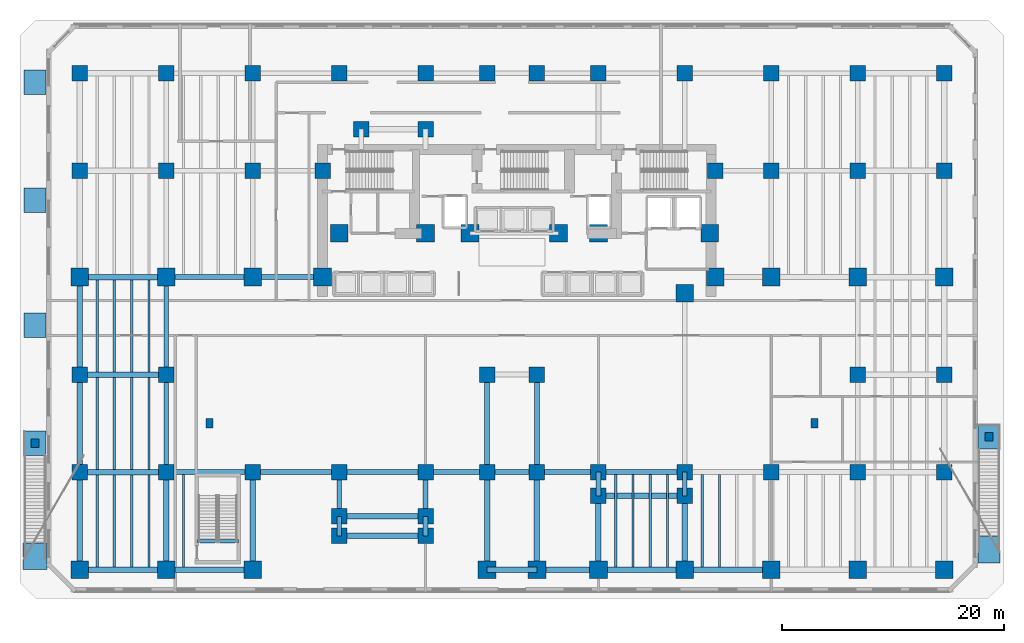
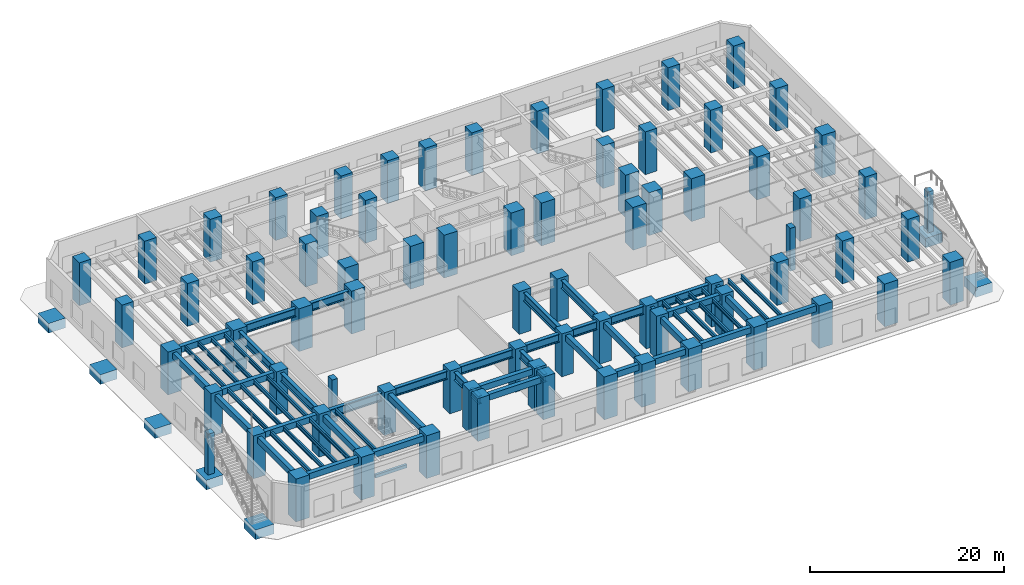
# One storey, part 1 of 17: 75 columns, 60 beams, 7 footings.
"""IFC4 building model written with IfcOpenShell, lengths in metres."""

from ifc_helpers import new_model, si_unit, direction, frame, origin, origin_2d, place, context, subcontext, project, spatial, rectangle, i_section, extrude, material, material_profile, profile_set, type_object, element, save


model = new_model("IFC4")

# Units and contexts
model_context = context("Model", 3, precision=1e-05, world=origin(), true_north=direction((0.0, 1.0)))
body_context = subcontext(model_context, "Body", "Model", "MODEL_VIEW")
ifc_project = project(units=[si_unit("LENGTHUNIT", "METRE"), si_unit("AREAUNIT", "SQUARE_METRE"), si_unit("VOLUMEUNIT", "CUBIC_METRE"), si_unit("PLANEANGLEUNIT", "RADIAN"), si_unit("MASSUNIT", "GRAM", prefix="KILO")], contexts=[model_context])

# Site, building, storey
site_placement = place(None, origin())
site = spatial("IfcSite", under=ifc_project, at=site_placement, CompositionType="ELEMENT")
building_placement = place(site_placement, origin())
building = spatial("IfcBuilding", under=site, at=building_placement, Name="Kestravale Grand Hotel", CompositionType="ELEMENT")
storey_placement = place(building_placement, origin())
storey = spatial("IfcBuildingStorey", under=building, at=storey_placement, Name="L00", CompositionType="ELEMENT", Elevation=0.0)

# Footings
ifc_material_1 = material(Name="Concrete f'c 40 MPa", Category="concrete")
footing_type = type_object("IfcFootingType", Name="FD-POD-2", PredefinedType="PAD_FOOTING", material=ifc_material_1)
footing_1_placement = place(storey_placement, frame((-4.050048828125, 3.60009765625, -1.2001953125), z_axis=(0.0, 0.0, 1.0), x_axis=(1.0, 0.0, 0.0)))
element("IfcFooting", 1, at=footing_1_placement, inside=storey, type_object=footing_type, Name="West garden stair bottom pad footing", PredefinedType="PAD_FOOTING", context=body_context, shape_type="SweptSolid", body=[
    extrude(rectangle(XDim=2.199951171875, YDim=2.39990234375, at=origin_2d()), origin(), (0.0, 0.0, 1.0), 1.199951171875),
])
for number, where, z_axis, x_axis, name in (
    (2, (-4.050048828125, 13.800048828125, -1.2001953125), (0.0, 0.0, 1.0), (1.0, 0.0, 0.0), "Garden stair 1 landing footing"),
    (3, (-4.050048828125, 24.4599609375, -1.2001953125), (0.0, 0.0, 1.0), (1.0, 0.0, 0.0), "Garden stair 2 landing footing"),
    (4, (-4.050048828125, 35.719970703125, -1.2001953125), (0.0, 0.0, 1.0), (1.0, 0.0, 0.0), "Garden stair 3 landing footing"),
    (5, (-4.050048828125, 46.3798828125, -1.2001953125), (0.0, 0.0, 1.0), (1.0, 0.0, 0.0), "Garden stair 4 landing footing"),
):
    element("IfcFooting", number, at=place(storey_placement, frame(where, z_axis=z_axis, x_axis=x_axis)), inside=storey, type_object=footing_type, Name=name, PredefinedType="PAD_FOOTING", context=body_context, shape_type="SweptSolid", body=[
        extrude(rectangle(XDim=2.0, YDim=2.199951171875, at=origin_2d()), origin(), (0.0, 0.0, 1.0), 1.199951171875),
    ])
footing_2_placement = place(storey_placement, frame((82.050048828125, 4.199951171875, -1.2001953125), z_axis=(0.0, 0.0, 1.0), x_axis=(1.0, 0.0, 0.0)))
element("IfcFooting", 6, at=footing_2_placement, inside=storey, type_object=footing_type, Name="East garden stair bottom pad footing", PredefinedType="PAD_FOOTING", context=body_context, shape_type="SweptSolid", body=[
    extrude(rectangle(XDim=2.0, YDim=2.39990234375, at=origin_2d()), origin(), (0.0, 0.0, 1.0), 1.199951171875),
])
footing_3_placement = place(storey_placement, frame((82.050048828125, 14.39990234375, -1.2001953125), z_axis=(0.0, 0.0, 1.0), x_axis=(1.0, 0.0, 0.0)))
element("IfcFooting", 7, at=footing_3_placement, inside=storey, type_object=footing_type, Name="East garden stair landing footing", PredefinedType="PAD_FOOTING", context=body_context, shape_type="SweptSolid", body=[
    extrude(rectangle(XDim=2.0, YDim=2.199951171875, at=origin_2d()), origin(), (0.0, 0.0, 1.0), 1.199951171875),
])

# Columns
ifc_material_2 = material(Name="Concrete f'c 70 MPa", Category="concrete")
ifc_material_profile_1 = material_profile(ifc_material_2, rectangle(XDim=1.39990234375, YDim=1.39990234375, at=origin_2d()))
ifc_profile_set_1 = profile_set([ifc_material_profile_1], Name="Concrete f'c 70 MPa")
column_type_1 = type_object("IfcColumnType", Name="C-Z1-1400", PredefinedType="COLUMN", material=ifc_profile_set_1)
for number, where, z_axis, x_axis, name in (
    (8, (0.0, 11.199951171875, 0.0), (0.0, 0.0, 1.0), (1.0, 0.0, 0.0), "L00 column 1-C"),
    (9, (0.0, 20.0, 0.0), (0.0, 0.0, 1.0), (1.0, 0.0, 0.0), "L00 column 1-D"),
    (10, (0.0, 38.39990234375, 0.0), (0.0, 0.0, 1.0), (1.0, 0.0, 0.0), "L00 column 1-F"),
    (11, (0.0, 47.199951171875, 0.0), (0.0, 0.0, 1.0), (1.0, 0.0, 0.0), "L00 column 1-G"),
    (12, (7.800048828125, 11.199951171875, 0.0), (0.0, 0.0, 1.0), (1.0, 0.0, 0.0), "L00 column 2-C"),
    (13, (7.800048828125, 20.0, 0.0), (0.0, 0.0, 1.0), (1.0, 0.0, 0.0), "L00 column 2-D"),
    (14, (7.800048828125, 38.39990234375, 0.0), (0.0, 0.0, 1.0), (1.0, 0.0, 0.0), "L00 column 2-F"),
    (15, (7.800048828125, 47.199951171875, 0.0), (0.0, 0.0, 1.0), (1.0, 0.0, 0.0), "L00 column 2-G"),
    (16, (15.60009765625, 11.199951171875, 0.0), (0.0, 0.0, 1.0), (1.0, 0.0, 0.0), "L00 column 3-C"),
    (17, (15.60009765625, 38.39990234375, 0.0), (0.0, 0.0, 1.0), (1.0, 0.0, 0.0), "L00 column 3-F"),
    (18, (15.60009765625, 47.199951171875, 0.0), (0.0, 0.0, 1.0), (1.0, 0.0, 0.0), "L00 column 3-G"),
    (19, (23.39990234375, 11.199951171875, 0.0), (0.0, 0.0, 1.0), (1.0, 0.0, 0.0), "L00 column 4-C"),
    (20, (23.39990234375, 47.199951171875, 0.0), (0.0, 0.0, 1.0), (1.0, 0.0, 0.0), "L00 column 4-G"),
    (21, (31.199951171875, 11.199951171875, 0.0), (0.0, 0.0, 1.0), (1.0, 0.0, 0.0), "L00 column 5-C"),
    (22, (31.199951171875, 47.199951171875, 0.0), (0.0, 0.0, 1.0), (1.0, 0.0, 0.0), "L00 column 5-G"),
    (23, (36.75, 11.199951171875, 0.0), (0.0, 0.0, 1.0), (1.0, 0.0, 0.0), "L00 column 6-C"),
    (24, (36.75, 20.0, 0.0), (0.0, 0.0, 1.0), (1.0, 0.0, 0.0), "L00 column 6-D"),
    (25, (36.75, 47.199951171875, 0.0), (0.0, 0.0, 1.0), (1.0, 0.0, 0.0), "L00 column 6-G"),
    (26, (41.25, 11.199951171875, 0.0), (0.0, 0.0, 1.0), (1.0, 0.0, 0.0), "L00 column 7-C"),
    (27, (41.25, 20.0, 0.0), (0.0, 0.0, 1.0), (1.0, 0.0, 0.0), "L00 column 7-D"),
    (28, (41.25, 47.199951171875, 0.0), (0.0, 0.0, 1.0), (1.0, 0.0, 0.0), "L00 column 7-G"),
    (29, (46.800048828125, 11.199951171875, 0.0), (0.0, 0.0, 1.0), (1.0, 0.0, 0.0), "L00 column 8-C"),
    (30, (46.800048828125, 47.199951171875, 0.0), (0.0, 0.0, 1.0), (1.0, 0.0, 0.0), "L00 column 8-G"),
    (31, (54.60009765625, 11.199951171875, 0.0), (0.0, 0.0, 1.0), (1.0, 0.0, 0.0), "L00 column 9-C"),
    (32, (54.60009765625, 47.199951171875, 0.0), (0.0, 0.0, 1.0), (1.0, 0.0, 0.0), "L00 column 9-G"),
    (33, (62.39990234375, 11.199951171875, 0.0), (0.0, 0.0, 1.0), (1.0, 0.0, 0.0), "L00 column 10-C"),
    (34, (62.39990234375, 38.39990234375, 0.0), (0.0, 0.0, 1.0), (1.0, 0.0, 0.0), "L00 column 10-F"),
    (35, (62.39990234375, 47.199951171875, 0.0), (0.0, 0.0, 1.0), (1.0, 0.0, 0.0), "L00 column 10-G"),
    (36, (70.199951171875, 11.199951171875, 0.0), (0.0, 0.0, 1.0), (1.0, 0.0, 0.0), "L00 column 11-C"),
    (37, (70.199951171875, 20.0, 0.0), (0.0, 0.0, 1.0), (1.0, 0.0, 0.0), "L00 column 11-D"),
    (38, (70.199951171875, 38.39990234375, 0.0), (0.0, 0.0, 1.0), (1.0, 0.0, 0.0), "L00 column 11-F"),
    (39, (70.199951171875, 47.199951171875, 0.0), (0.0, 0.0, 1.0), (1.0, 0.0, 0.0), "L00 column 11-G"),
    (40, (78.0, 11.199951171875, 0.0), (0.0, 0.0, 1.0), (1.0, 0.0, 0.0), "L00 column 12-C"),
    (41, (78.0, 20.0, 0.0), (0.0, 0.0, 1.0), (1.0, 0.0, 0.0), "L00 column 12-D"),
    (42, (78.0, 38.39990234375, 0.0), (0.0, 0.0, 1.0), (1.0, 0.0, 0.0), "L00 column 12-F"),
    (43, (78.0, 47.199951171875, 0.0), (0.0, 0.0, 1.0), (1.0, 0.0, 0.0), "L00 column 12-G"),
    (44, (21.89990234375, 38.39990234375, 0.0), (0.0, 0.0, 1.0), (1.0, 0.0, 0.0), "L00 column CW-F"),
    (45, (57.35009765625, 38.39990234375, 0.0), (0.0, 0.0, 1.0), (1.0, 0.0, 0.0), "L00 column CE-F"),
    (46, (23.39990234375, 7.199951171875, 0.0), (0.0, 0.0, 1.0), (1.0, 0.0, 0.0), "L00 column 4-BS"),
    (47, (31.199951171875, 7.199951171875, 0.0), (0.0, 0.0, 1.0), (1.0, 0.0, 0.0), "L00 column 5-BS"),
    (48, (25.39990234375, 42.14990234375, 0.0), (0.0, 0.0, 1.0), (1.0, 0.0, 0.0), "L00 column 4-FN"),
    (49, (31.199951171875, 42.14990234375, 0.0), (0.0, 0.0, 1.0), (1.0, 0.0, 0.0), "L00 column 5-FN"),
    (50, (23.39990234375, 5.449951171875, 0.0), (0.0, 0.0, 1.0), (1.0, 0.0, 0.0), "L00 column 4-B1S"),
    (51, (31.199951171875, 5.449951171875, 0.0), (0.0, 0.0, 1.0), (1.0, 0.0, 0.0), "L00 column 5-B1S"),
    (52, (46.800048828125, 9.050048828125, 0.0), (0.0, 0.0, 1.0), (1.0, 0.0, 0.0), "L00 column 8-B1E"),
    (53, (54.60009765625, 9.050048828125, 0.0), (0.0, 0.0, 1.0), (1.0, 0.0, 0.0), "L00 column 9-B1E"),
):
    element("IfcColumn", number, at=place(storey_placement, frame(where, z_axis=z_axis, x_axis=x_axis)), inside=storey, type_object=column_type_1, Name=name, PredefinedType="COLUMN", context=body_context, shape_type="SweptSolid", body=[
        extrude(rectangle(XDim=1.39990234375, YDim=1.39990234375, at=origin_2d()), origin(), (0.0, 0.0, 1.0), 5.39990234375),
    ])
ifc_material_3 = material(Name="Concrete f'c 70 MPa", Category="concrete")
ifc_material_profile_2 = material_profile(ifc_material_3, rectangle(XDim=1.60009765625, YDim=1.60009765625, at=origin_2d()))
ifc_profile_set_2 = profile_set([ifc_material_profile_2], Name="Concrete f'c 70 MPa")
column_type_2 = type_object("IfcColumnType", Name="C-Z1-1600", PredefinedType="COLUMN", material=ifc_profile_set_2)
for number, where, z_axis, x_axis, name in (
    (54, (0.0, 2.39990234375, 0.0), (0.0, 0.0, 1.0), (1.0, 0.0, 0.0), "L00 column 1-B"),
    (55, (0.0, 28.800048828125, 0.0), (0.0, 0.0, 1.0), (1.0, 0.0, 0.0), "L00 column 1-E"),
    (56, (7.800048828125, 2.39990234375, 0.0), (0.0, 0.0, 1.0), (1.0, 0.0, 0.0), "L00 column 2-B"),
    (57, (7.800048828125, 28.800048828125, 0.0), (0.0, 0.0, 1.0), (1.0, 0.0, 0.0), "L00 column 2-E"),
    (58, (15.60009765625, 2.39990234375, 0.0), (0.0, 0.0, 1.0), (1.0, 0.0, 0.0), "L00 column 3-B"),
    (59, (15.60009765625, 28.800048828125, 0.0), (0.0, 0.0, 1.0), (1.0, 0.0, 0.0), "L00 column 3-E"),
    (60, (36.75, 2.39990234375, 0.0), (0.0, 0.0, 1.0), (1.0, 0.0, 0.0), "L00 column 6-B"),
    (61, (41.25, 2.39990234375, 0.0), (0.0, 0.0, 1.0), (1.0, 0.0, 0.0), "L00 column 7-B"),
    (62, (46.800048828125, 2.39990234375, 0.0), (0.0, 0.0, 1.0), (1.0, 0.0, 0.0), "L00 column 8-B"),
    (63, (54.60009765625, 2.39990234375, 0.0), (0.0, 0.0, 1.0), (1.0, 0.0, 0.0), "L00 column 9-B"),
    (64, (62.39990234375, 2.39990234375, 0.0), (0.0, 0.0, 1.0), (1.0, 0.0, 0.0), "L00 column 10-B"),
    (65, (62.39990234375, 28.800048828125, 0.0), (0.0, 0.0, 1.0), (1.0, 0.0, 0.0), "L00 column 10-E"),
    (66, (70.199951171875, 2.39990234375, 0.0), (0.0, 0.0, 1.0), (1.0, 0.0, 0.0), "L00 column 11-B"),
    (67, (70.199951171875, 28.800048828125, 0.0), (0.0, 0.0, 1.0), (1.0, 0.0, 0.0), "L00 column 11-E"),
    (68, (78.0, 2.39990234375, 0.0), (0.0, 0.0, 1.0), (1.0, 0.0, 0.0), "L00 column 12-B"),
    (69, (78.0, 28.800048828125, 0.0), (0.0, 0.0, 1.0), (1.0, 0.0, 0.0), "L00 column 12-E"),
    (70, (21.89990234375, 28.800048828125, 0.0), (0.0, 0.0, 1.0), (1.0, 0.0, 0.0), "L00 column CW-E"),
    (71, (57.35009765625, 28.800048828125, 0.0), (0.0, 0.0, 1.0), (1.0, 0.0, 0.0), "L00 column CE-E"),
    (72, (23.39990234375, 32.75, 0.0), (0.0, 0.0, 1.0), (1.0, 0.0, 0.0), "L00 column 4-CS"),
    (73, (31.199951171875, 32.75, 0.0), (0.0, 0.0, 1.0), (1.0, 0.0, 0.0), "L00 column 5-CS"),
    (74, (35.199951171875, 32.75, 0.0), (0.0, 0.0, 1.0), (1.0, 0.0, 0.0), "L00 column 6C-CS"),
    (75, (43.199951171875, 32.75, 0.0), (0.0, 0.0, 1.0), (1.0, 0.0, 0.0), "L00 column 7C-CS"),
    (76, (46.800048828125, 32.75, 0.0), (0.0, 0.0, 1.0), (1.0, 0.0, 0.0), "L00 column 8-CS"),
    (77, (54.60009765625, 27.35009765625, 0.0), (0.0, 0.0, 1.0), (1.0, 0.0, 0.0), "L00 column 9-CS"),
    (78, (56.85009765625, 32.75, 0.0), (0.0, 0.0, 1.0), (1.0, 0.0, 0.0), "L00 column 9C-CS"),
):
    element("IfcColumn", number, at=place(storey_placement, frame(where, z_axis=z_axis, x_axis=x_axis)), inside=storey, type_object=column_type_2, Name=name, PredefinedType="COLUMN", context=body_context, shape_type="SweptSolid", body=[
        extrude(rectangle(XDim=1.60009765625, YDim=1.60009765625, at=origin_2d()), origin(), (0.0, 0.0, 1.0), 5.39990234375),
    ])
ifc_material_4 = material(Name="Precast concrete f'c 45 MPa", Category="concrete")
ifc_material_profile_3 = material_profile(ifc_material_4, rectangle(XDim=0.64990234375, YDim=0.85009765625, at=origin_2d()))
ifc_profile_set_3 = profile_set([ifc_material_profile_3], Name="Precast concrete f'c 45 MPa")
column_type_3 = type_object("IfcColumnType", Name="C-Z1-PIL850", PredefinedType="PILASTER", material=ifc_profile_set_3)
for number, where, z_axis, x_axis, name in (
    (79, (11.699951171875, 15.60009765625, 0.0), (0.0, 0.0, 1.0), (1.0, 0.0, 0.0), "L00 Art Deco fluted pilaster P1"),
    (80, (66.300048828125, 15.60009765625, 0.0), (0.0, 0.0, 1.0), (1.0, 0.0, 0.0), "L00 Art Deco fluted pilaster P2"),
):
    element("IfcColumn", number, at=place(storey_placement, frame(where, z_axis=z_axis, x_axis=x_axis)), inside=storey, type_object=column_type_3, Name=name, PredefinedType="PILASTER", context=body_context, shape_type="SweptSolid", body=[
        extrude(rectangle(XDim=0.64990234375, YDim=0.85009765625, at=origin_2d()), origin(), (0.0, 0.0, 1.0), 5.39990234375),
    ])
ifc_material_5 = material(Name="Concrete f'c 50 MPa", Category="concrete")
ifc_material_profile_4 = material_profile(ifc_material_5, rectangle(XDim=0.75, YDim=0.75, at=origin_2d()))
ifc_profile_set_4 = profile_set([ifc_material_profile_4], Name="Concrete f'c 50 MPa")
column_type_4 = type_object("IfcColumnType", Name="C-Z4-750", PredefinedType="COLUMN", material=ifc_profile_set_4)
for number, where, z_axis, x_axis, name in (
    (81, (-4.050048828125, 13.800048828125, 0.0), (0.0, 0.0, 1.0), (1.0, 0.0, 0.0), "Garden stair 1 pier column"),
    (82, (82.050048828125, 14.39990234375, 0.0), (0.0, 0.0, 1.0), (1.0, 0.0, 0.0), "East garden stair pier column"),
):
    element("IfcColumn", number, at=place(storey_placement, frame(where, z_axis=z_axis, x_axis=x_axis)), inside=storey, type_object=column_type_4, Name=name, PredefinedType="COLUMN", context=body_context, shape_type="SweptSolid", body=[
        extrude(rectangle(XDim=0.75, YDim=0.75, at=origin_2d()), origin(), (0.0, 0.0, 1.0), 5.14990234375),
    ])

# Beams
ifc_material_6 = material(Name="Steel ASTM A992 Grade 50", Category="steel")
ifc_material_profile_5 = material_profile(ifc_material_6, i_section(OverallWidth=0.2099609375, OverallDepth=0.535888671875, WebThickness=0.010986328125, FlangeThickness=0.017333984375, FilletRadius=0.017578125, at=origin_2d()))
ifc_profile_set_5 = profile_set([ifc_material_profile_5], Name="Steel ASTM A992 Grade 50")
beam_type_1 = type_object("IfcBeamType", Name="B-FLR-JST21", PredefinedType="JOIST", material=ifc_profile_set_5)
for number, where, z_axis, x_axis, name in (
    (83, (1.56005859375, 2.64990234375, 4.83203125), (0.0, 1.0, 0.0), (-1.0, 0.0, 0.0), "L00 floor joist 1-2/B-C #1"),
    (84, (3.1201171875, 2.64990234375, 4.83203125), (0.0, 1.0, 0.0), (-1.0, 0.0, 0.0), "L00 floor joist 1-2/B-C #2"),
    (85, (4.679931640625, 2.64990234375, 4.83203125), (0.0, 1.0, 0.0), (-1.0, 0.0, 0.0), "L00 floor joist 1-2/B-C #3"),
    (86, (6.239990234375, 2.64990234375, 4.83203125), (0.0, 1.0, 0.0), (-1.0, 0.0, 0.0), "L00 floor joist 1-2/B-C #4"),
    (87, (1.56005859375, 11.449951171875, 4.83203125), (0.0, 1.0, 0.0), (-1.0, 0.0, 0.0), "L00 floor joist 1-2/C-D #1"),
    (88, (3.1201171875, 11.449951171875, 4.83203125), (0.0, 1.0, 0.0), (-1.0, 0.0, 0.0), "L00 floor joist 1-2/C-D #2"),
    (89, (4.679931640625, 11.449951171875, 4.83203125), (0.0, 1.0, 0.0), (-1.0, 0.0, 0.0), "L00 floor joist 1-2/C-D #3"),
    (90, (6.239990234375, 11.449951171875, 4.83203125), (0.0, 1.0, 0.0), (-1.0, 0.0, 0.0), "L00 floor joist 1-2/C-D #4"),
    (91, (1.56005859375, 20.25, 4.83203125), (0.0, 1.0, 0.0), (-1.0, 0.0, 0.0), "L00 floor joist 1-2/D-E #1"),
    (92, (3.1201171875, 20.25, 4.83203125), (0.0, 1.0, 0.0), (-1.0, 0.0, 0.0), "L00 floor joist 1-2/D-E #2"),
    (93, (4.679931640625, 20.25, 4.83203125), (0.0, 1.0, 0.0), (-1.0, 0.0, 0.0), "L00 floor joist 1-2/D-E #3"),
    (94, (6.239990234375, 20.25, 4.83203125), (0.0, 1.0, 0.0), (-1.0, 0.0, 0.0), "L00 floor joist 1-2/D-E #4"),
):
    element("IfcBeam", number, at=place(storey_placement, frame(where, z_axis=z_axis, x_axis=x_axis)), inside=storey, type_object=beam_type_1, Name=name, PredefinedType="JOIST", context=body_context, shape_type="SweptSolid", body=[
        extrude(i_section(OverallWidth=0.2099609375, OverallDepth=0.535888671875, WebThickness=0.010986328125, FlangeThickness=0.017333984375, FilletRadius=0.017578125, at=origin_2d()), origin(), (0.0, 0.0, 1.0), 8.300048828125),
    ])
for number, where, z_axis, x_axis, name in (
    (95, (9.360107421875, 2.64990234375, 4.83203125), (0.0, 1.0, 0.0), (-1.0, 0.0, 0.0), "L00 floor joist 2-3/B-C #1"),
    (96, (48.360107421875, 2.64990234375, 4.83203125), (0.0, 1.0, 0.0), (-1.0, 0.0, 0.0), "L00 floor joist 8-9/B-C #1"),
    (97, (49.919921875, 2.64990234375, 4.83203125), (0.0, 1.0, 0.0), (-1.0, 0.0, 0.0), "L00 floor joist 8-9/B-C #2"),
    (98, (51.47998046875, 2.64990234375, 4.83203125), (0.0, 1.0, 0.0), (-1.0, 0.0, 0.0), "L00 floor joist 8-9/B-C #3"),
    (99, (53.0400390625, 2.64990234375, 4.83203125), (0.0, 1.0, 0.0), (-1.0, 0.0, 0.0), "L00 floor joist 8-9/B-C #4"),
    (100, (56.159912109375, 2.64990234375, 4.83203125), (0.0, 1.0, 0.0), (-1.0, 0.0, 0.0), "L00 floor joist 9-10/B-C #1"),
    (101, (57.719970703125, 2.64990234375, 4.83203125), (0.0, 1.0, 0.0), (-1.0, 0.0, 0.0), "L00 floor joist 9-10/B-C #2"),
):
    element("IfcBeam", number, at=place(storey_placement, frame(where, z_axis=z_axis, x_axis=x_axis)), inside=storey, type_object=beam_type_1, Name=name, PredefinedType="JOIST", context=body_context, shape_type="SweptSolid", body=[
        extrude(i_section(OverallWidth=0.2099609375, OverallDepth=0.535888671875, WebThickness=0.010986328125, FlangeThickness=0.017333984375, FilletRadius=0.017578125, at=origin_2d()), origin(), (0.0, 0.0, 1.0), 8.336669921875),
    ])
ifc_material_7 = material(Name="Concrete f'c 45 MPa", Category="concrete")
ifc_material_profile_6 = material_profile(ifc_material_7, rectangle(XDim=0.300048828125, YDim=0.39990234375, at=origin_2d()))
ifc_profile_set_6 = profile_set([ifc_material_profile_6], Name="Concrete f'c 45 MPa")
beam_type_2 = type_object("IfcBeamType", Name="B-FLR-LNT400", PredefinedType="LINTEL", material=ifc_profile_set_6)
beam_1_placement = place(storey_placement, frame((10.56005859375, 4.9599609375, -0.199951171875), z_axis=(1.0, 0.0, 0.0), x_axis=(0.0, 1.0, 0.0)))
element("IfcBeam", 102, at=beam_1_placement, inside=storey, type_object=beam_type_2, Name="L00 ST4 flight bottom header beam", PredefinedType="LINTEL", context=body_context, shape_type="SweptSolid", body=[
    extrude(rectangle(XDim=0.300048828125, YDim=0.39990234375, at=origin_2d()), origin(), (0.0, 0.0, 1.0), 3.77001953125),
])
ifc_material_8 = material(Name="Concrete f'c 45 MPa", Category="concrete")
ifc_material_profile_7 = material_profile(ifc_material_8, rectangle(XDim=0.5, YDim=0.75, at=origin_2d()))
ifc_profile_set_7 = profile_set([ifc_material_profile_7], Name="Concrete f'c 45 MPa")
beam_type_3 = type_object("IfcBeamType", Name="B-FLR-RC750", PredefinedType="SPANDREL", material=ifc_profile_set_7)
for number, where, z_axis, x_axis, name in (
    (103, (0.0, 2.39990234375, 4.72509765625), (1.0, 0.0, 0.0), (0.0, 1.0, 0.0), "L00 spandrel B:1-2"),
    (104, (7.800048828125, 2.39990234375, 4.72509765625), (1.0, 0.0, 0.0), (0.0, 1.0, 0.0), "L00 spandrel B:2-3"),
):
    element("IfcBeam", number, at=place(storey_placement, frame(where, z_axis=z_axis, x_axis=x_axis)), inside=storey, type_object=beam_type_3, Name=name, PredefinedType="SPANDREL", context=body_context, shape_type="SweptSolid", body=[
        extrude(rectangle(XDim=0.5, YDim=0.75, at=origin_2d()), origin(), (0.0, 0.0, 1.0), 7.800048828125),
    ])
beam_2_placement = place(storey_placement, frame((36.75, 2.39990234375, 4.72509765625), z_axis=(1.0, 0.0, 0.0), x_axis=(0.0, 1.0, 0.0)))
element("IfcBeam", 105, at=beam_2_placement, inside=storey, type_object=beam_type_3, Name="L00 spandrel B:6-7", PredefinedType="SPANDREL", context=body_context, shape_type="SweptSolid", body=[
    extrude(rectangle(XDim=0.5, YDim=0.75, at=origin_2d()), origin(), (0.0, 0.0, 1.0), 4.5),
])
beam_3_placement = place(storey_placement, frame((41.25, 2.39990234375, 4.72509765625), z_axis=(1.0, 0.0, 0.0), x_axis=(0.0, 1.0, 0.0)))
element("IfcBeam", 106, at=beam_3_placement, inside=storey, type_object=beam_type_3, Name="L00 spandrel B:7-8", PredefinedType="SPANDREL", context=body_context, shape_type="SweptSolid", body=[
    extrude(rectangle(XDim=0.5, YDim=0.75, at=origin_2d()), origin(), (0.0, 0.0, 1.0), 5.550048828125),
])
beam_4_placement = place(storey_placement, frame((46.800048828125, 2.39990234375, 4.72509765625), z_axis=(1.0, 0.0, 0.0), x_axis=(0.0, 1.0, 0.0)))
element("IfcBeam", 107, at=beam_4_placement, inside=storey, type_object=beam_type_3, Name="L00 spandrel B:8-9", PredefinedType="SPANDREL", context=body_context, shape_type="SweptSolid", body=[
    extrude(rectangle(XDim=0.5, YDim=0.75, at=origin_2d()), origin(), (0.0, 0.0, 1.0), 7.800048828125),
])
beam_5_placement = place(storey_placement, frame((54.60009765625, 2.39990234375, 4.72509765625), z_axis=(1.0, 0.0, 0.0), x_axis=(0.0, 1.0, 0.0)))
element("IfcBeam", 108, at=beam_5_placement, inside=storey, type_object=beam_type_3, Name="L00 spandrel B:9-10", PredefinedType="SPANDREL", context=body_context, shape_type="SweptSolid", body=[
    extrude(rectangle(XDim=0.5, YDim=0.75, at=origin_2d()), origin(), (0.0, 0.0, 1.0), 7.7998046875),
])
for number, where, z_axis, x_axis, name in (
    (109, (0.0, 11.199951171875, 4.72509765625), (1.0, 0.0, 0.0), (0.0, 1.0, 0.0), "L00 spandrel C:1-2"),
    (110, (0.0, 20.0, 4.72509765625), (1.0, 0.0, 0.0), (0.0, 1.0, 0.0), "L00 spandrel D:1-2"),
    (111, (0.0, 28.800048828125, 4.72509765625), (1.0, 0.0, 0.0), (0.0, 1.0, 0.0), "L00 spandrel E:1-2"),
    (112, (23.39990234375, 5.449951171875, 4.72509765625), (1.0, 0.0, 0.0), (0.0, 1.0, 0.0), "L00 perimeter tie spandrel B1S:4-5"),
    (113, (46.800048828125, 9.050048828125, 4.72509765625), (1.0, 0.0, 0.0), (0.0, 1.0, 0.0), "L00 perimeter tie spandrel B1E:8-9"),
    (114, (23.39990234375, 7.199951171875, 4.72509765625), (1.0, 0.0, 0.0), (0.0, 1.0, 0.0), "L00 perimeter tie spandrel BS:4-5"),
):
    element("IfcBeam", number, at=place(storey_placement, frame(where, z_axis=z_axis, x_axis=x_axis)), inside=storey, type_object=beam_type_3, Name=name, PredefinedType="SPANDREL", context=body_context, shape_type="SweptSolid", body=[
        extrude(rectangle(XDim=0.5, YDim=0.75, at=origin_2d()), origin(), (0.0, 0.0, 1.0), 7.800048828125),
    ])
for number, where, z_axis, x_axis, name in (
    (115, (0.0, 2.39990234375, 4.72509765625), (0.0, 1.0, 0.0), (-1.0, 0.0, 0.0), "L00 spandrel 1:B-C"),
    (116, (0.0, 11.199951171875, 4.72509765625), (0.0, 1.0, 0.0), (-1.0, 0.0, 0.0), "L00 spandrel 1:C-D"),
    (117, (0.0, 20.0, 4.72509765625), (0.0, 1.0, 0.0), (-1.0, 0.0, 0.0), "L00 spandrel 1:D-E"),
    (118, (7.800048828125, 2.39990234375, 4.72509765625), (0.0, 1.0, 0.0), (-1.0, 0.0, 0.0), "L00 spandrel 2:B-C"),
    (119, (15.60009765625, 2.39990234375, 4.72509765625), (0.0, 1.0, 0.0), (-1.0, 0.0, 0.0), "L00 spandrel 3:B-C"),
    (120, (36.75, 2.39990234375, 4.72509765625), (0.0, 1.0, 0.0), (-1.0, 0.0, 0.0), "L00 spandrel 6:B-C"),
    (121, (41.25, 2.39990234375, 4.72509765625), (0.0, 1.0, 0.0), (-1.0, 0.0, 0.0), "L00 spandrel 7:B-C"),
):
    element("IfcBeam", number, at=place(storey_placement, frame(where, z_axis=z_axis, x_axis=x_axis)), inside=storey, type_object=beam_type_3, Name=name, PredefinedType="SPANDREL", context=body_context, shape_type="SweptSolid", body=[
        extrude(rectangle(XDim=0.5, YDim=0.75, at=origin_2d()), origin(), (0.0, 0.0, 1.0), 8.800048828125),
    ])
for number, where, z_axis, x_axis, name in (
    (122, (46.800048828125, 2.39990234375, 4.72509765625), (0.0, 1.0, 0.0), (-1.0, 0.0, 0.0), "L00 spandrel 8:B-B1E"),
    (123, (54.60009765625, 2.39990234375, 4.72509765625), (0.0, 1.0, 0.0), (-1.0, 0.0, 0.0), "L00 spandrel 9:B-B1E"),
):
    element("IfcBeam", number, at=place(storey_placement, frame(where, z_axis=z_axis, x_axis=x_axis)), inside=storey, type_object=beam_type_3, Name=name, PredefinedType="SPANDREL", context=body_context, shape_type="SweptSolid", body=[
        extrude(rectangle(XDim=0.5, YDim=0.75, at=origin_2d()), origin(), (0.0, 0.0, 1.0), 6.650146484375),
    ])
ifc_material_9 = material(Name="Steel ASTM A992 Grade 50", Category="steel")
ifc_material_profile_8 = material_profile(ifc_material_9, i_section(OverallWidth=0.427001953125, OverallDepth=1.0400390625, WebThickness=0.031005859375, FlangeThickness=0.055908203125, FilletRadius=0.028076171875, at=origin_2d()))
ifc_profile_set_8 = profile_set([ifc_material_profile_8], Name="Steel ASTM A992 Grade 50")
beam_type_4 = type_object("IfcBeamType", Name="B-GRD-W40", PredefinedType="BEAM", material=ifc_profile_set_8)
beam_6_placement = place(storey_placement, frame((7.800048828125, 11.199951171875, 4.580078125), z_axis=(1.0, 0.0, 0.0), x_axis=(0.0, 1.0, 0.0)))
element("IfcBeam", 124, at=beam_6_placement, inside=storey, type_object=beam_type_4, Name="L00 girder C:2-3", PredefinedType="BEAM", context=body_context, shape_type="SweptSolid", body=[
    extrude(i_section(OverallWidth=0.427001953125, OverallDepth=1.0400390625, WebThickness=0.031005859375, FlangeThickness=0.055908203125, FilletRadius=0.028076171875, at=origin_2d()), origin(), (0.0, 0.0, 1.0), 7.800048828125),
])
beam_7_placement = place(storey_placement, frame((15.60009765625, 11.199951171875, 4.580078125), z_axis=(1.0, 0.0, 0.0), x_axis=(0.0, 1.0, 0.0)))
element("IfcBeam", 125, at=beam_7_placement, inside=storey, type_object=beam_type_4, Name="L00 girder C:3-4", PredefinedType="BEAM", context=body_context, shape_type="SweptSolid", body=[
    extrude(i_section(OverallWidth=0.427001953125, OverallDepth=1.0400390625, WebThickness=0.031005859375, FlangeThickness=0.055908203125, FilletRadius=0.028076171875, at=origin_2d()), origin(), (0.0, 0.0, 1.0), 7.7998046875),
])
beam_8_placement = place(storey_placement, frame((23.39990234375, 11.199951171875, 4.580078125), z_axis=(1.0, 0.0, 0.0), x_axis=(0.0, 1.0, 0.0)))
element("IfcBeam", 126, at=beam_8_placement, inside=storey, type_object=beam_type_4, Name="L00 girder C:4-5", PredefinedType="BEAM", context=body_context, shape_type="SweptSolid", body=[
    extrude(i_section(OverallWidth=0.427001953125, OverallDepth=1.0400390625, WebThickness=0.031005859375, FlangeThickness=0.055908203125, FilletRadius=0.028076171875, at=origin_2d()), origin(), (0.0, 0.0, 1.0), 7.800048828125),
])
beam_9_placement = place(storey_placement, frame((31.199951171875, 11.199951171875, 4.580078125), z_axis=(1.0, 0.0, 0.0), x_axis=(0.0, 1.0, 0.0)))
element("IfcBeam", 127, at=beam_9_placement, inside=storey, type_object=beam_type_4, Name="L00 girder C:5-6", PredefinedType="BEAM", context=body_context, shape_type="SweptSolid", body=[
    extrude(i_section(OverallWidth=0.427001953125, OverallDepth=1.0400390625, WebThickness=0.031005859375, FlangeThickness=0.055908203125, FilletRadius=0.028076171875, at=origin_2d()), origin(), (0.0, 0.0, 1.0), 5.550048828125),
])
beam_10_placement = place(storey_placement, frame((36.75, 11.199951171875, 4.580078125), z_axis=(1.0, 0.0, 0.0), x_axis=(0.0, 1.0, 0.0)))
element("IfcBeam", 128, at=beam_10_placement, inside=storey, type_object=beam_type_4, Name="L00 girder C:6-7", PredefinedType="BEAM", context=body_context, shape_type="SweptSolid", body=[
    extrude(i_section(OverallWidth=0.427001953125, OverallDepth=1.0400390625, WebThickness=0.031005859375, FlangeThickness=0.055908203125, FilletRadius=0.028076171875, at=origin_2d()), origin(), (0.0, 0.0, 1.0), 4.5),
])
beam_11_placement = place(storey_placement, frame((41.25, 11.199951171875, 4.580078125), z_axis=(1.0, 0.0, 0.0), x_axis=(0.0, 1.0, 0.0)))
element("IfcBeam", 129, at=beam_11_placement, inside=storey, type_object=beam_type_4, Name="L00 girder C:7-8", PredefinedType="BEAM", context=body_context, shape_type="SweptSolid", body=[
    extrude(i_section(OverallWidth=0.427001953125, OverallDepth=1.0400390625, WebThickness=0.031005859375, FlangeThickness=0.055908203125, FilletRadius=0.028076171875, at=origin_2d()), origin(), (0.0, 0.0, 1.0), 5.550048828125),
])
for number, where, z_axis, x_axis, name in (
    (130, (46.800048828125, 11.199951171875, 4.580078125), (1.0, 0.0, 0.0), (0.0, 1.0, 0.0), "L00 girder C:8-9"),
    (131, (7.800048828125, 28.800048828125, 4.580078125), (1.0, 0.0, 0.0), (0.0, 1.0, 0.0), "L00 girder E:2-3"),
):
    element("IfcBeam", number, at=place(storey_placement, frame(where, z_axis=z_axis, x_axis=x_axis)), inside=storey, type_object=beam_type_4, Name=name, PredefinedType="BEAM", context=body_context, shape_type="SweptSolid", body=[
        extrude(i_section(OverallWidth=0.427001953125, OverallDepth=1.0400390625, WebThickness=0.031005859375, FlangeThickness=0.055908203125, FilletRadius=0.028076171875, at=origin_2d()), origin(), (0.0, 0.0, 1.0), 7.800048828125),
    ])
beam_12_placement = place(storey_placement, frame((15.60009765625, 28.800048828125, 4.580078125), z_axis=(1.0, 0.0, 0.0), x_axis=(0.0, 1.0, 0.0)))
element("IfcBeam", 132, at=beam_12_placement, inside=storey, type_object=beam_type_4, Name="L00 girder E:3-CW", PredefinedType="BEAM", context=body_context, shape_type="SweptSolid", body=[
    extrude(i_section(OverallWidth=0.427001953125, OverallDepth=1.0400390625, WebThickness=0.031005859375, FlangeThickness=0.055908203125, FilletRadius=0.028076171875, at=origin_2d()), origin(), (0.0, 0.0, 1.0), 6.2998046875),
])
for number, where, z_axis, x_axis, name in (
    (133, (7.800048828125, 11.199951171875, 4.580078125), (0.0, 1.0, 0.0), (-1.0, 0.0, 0.0), "L00 girder 2:C-D"),
    (134, (7.800048828125, 20.0, 4.580078125), (0.0, 1.0, 0.0), (-1.0, 0.0, 0.0), "L00 girder 2:D-E"),
):
    element("IfcBeam", number, at=place(storey_placement, frame(where, z_axis=z_axis, x_axis=x_axis)), inside=storey, type_object=beam_type_4, Name=name, PredefinedType="BEAM", context=body_context, shape_type="SweptSolid", body=[
        extrude(i_section(OverallWidth=0.427001953125, OverallDepth=1.0400390625, WebThickness=0.031005859375, FlangeThickness=0.055908203125, FilletRadius=0.028076171875, at=origin_2d()), origin(), (0.0, 0.0, 1.0), 8.800048828125),
    ])
beam_13_placement = place(storey_placement, frame((23.39990234375, 5.449951171875, 4.580078125), z_axis=(0.0, 1.0, 0.0), x_axis=(-1.0, 0.0, 0.0)))
element("IfcBeam", 135, at=beam_13_placement, inside=storey, type_object=beam_type_4, Name="L00 girder 4:B1S-BS", PredefinedType="BEAM", context=body_context, shape_type="SweptSolid", body=[
    extrude(i_section(OverallWidth=0.427001953125, OverallDepth=1.0400390625, WebThickness=0.031005859375, FlangeThickness=0.055908203125, FilletRadius=0.028076171875, at=origin_2d()), origin(), (0.0, 0.0, 1.0), 1.75),
])
beam_14_placement = place(storey_placement, frame((23.39990234375, 7.199951171875, 4.580078125), z_axis=(0.0, 1.0, 0.0), x_axis=(-1.0, 0.0, 0.0)))
element("IfcBeam", 136, at=beam_14_placement, inside=storey, type_object=beam_type_4, Name="L00 girder 4:BS-C", PredefinedType="BEAM", context=body_context, shape_type="SweptSolid", body=[
    extrude(i_section(OverallWidth=0.427001953125, OverallDepth=1.0400390625, WebThickness=0.031005859375, FlangeThickness=0.055908203125, FilletRadius=0.028076171875, at=origin_2d()), origin(), (0.0, 0.0, 1.0), 4.0),
])
beam_15_placement = place(storey_placement, frame((31.199951171875, 5.449951171875, 4.580078125), z_axis=(0.0, 1.0, 0.0), x_axis=(-1.0, 0.0, 0.0)))
element("IfcBeam", 137, at=beam_15_placement, inside=storey, type_object=beam_type_4, Name="L00 girder 5:B1S-BS", PredefinedType="BEAM", context=body_context, shape_type="SweptSolid", body=[
    extrude(i_section(OverallWidth=0.427001953125, OverallDepth=1.0400390625, WebThickness=0.031005859375, FlangeThickness=0.055908203125, FilletRadius=0.028076171875, at=origin_2d()), origin(), (0.0, 0.0, 1.0), 1.75),
])
beam_16_placement = place(storey_placement, frame((31.199951171875, 7.199951171875, 4.580078125), z_axis=(0.0, 1.0, 0.0), x_axis=(-1.0, 0.0, 0.0)))
element("IfcBeam", 138, at=beam_16_placement, inside=storey, type_object=beam_type_4, Name="L00 girder 5:BS-C", PredefinedType="BEAM", context=body_context, shape_type="SweptSolid", body=[
    extrude(i_section(OverallWidth=0.427001953125, OverallDepth=1.0400390625, WebThickness=0.031005859375, FlangeThickness=0.055908203125, FilletRadius=0.028076171875, at=origin_2d()), origin(), (0.0, 0.0, 1.0), 4.0),
])
for number, where, z_axis, x_axis, name in (
    (139, (36.75, 11.199951171875, 4.580078125), (0.0, 1.0, 0.0), (-1.0, 0.0, 0.0), "L00 girder 6:C-D"),
    (140, (41.25, 11.199951171875, 4.580078125), (0.0, 1.0, 0.0), (-1.0, 0.0, 0.0), "L00 girder 7:C-D"),
):
    element("IfcBeam", number, at=place(storey_placement, frame(where, z_axis=z_axis, x_axis=x_axis)), inside=storey, type_object=beam_type_4, Name=name, PredefinedType="BEAM", context=body_context, shape_type="SweptSolid", body=[
        extrude(i_section(OverallWidth=0.427001953125, OverallDepth=1.0400390625, WebThickness=0.031005859375, FlangeThickness=0.055908203125, FilletRadius=0.028076171875, at=origin_2d()), origin(), (0.0, 0.0, 1.0), 8.800048828125),
    ])
for number, where, z_axis, x_axis, name in (
    (141, (46.800048828125, 9.050048828125, 4.580078125), (0.0, 1.0, 0.0), (-1.0, 0.0, 0.0), "L00 girder 8:B1E-C"),
    (142, (54.60009765625, 9.050048828125, 4.580078125), (0.0, 1.0, 0.0), (-1.0, 0.0, 0.0), "L00 girder 9:B1E-C"),
):
    element("IfcBeam", number, at=place(storey_placement, frame(where, z_axis=z_axis, x_axis=x_axis)), inside=storey, type_object=beam_type_4, Name=name, PredefinedType="BEAM", context=body_context, shape_type="SweptSolid", body=[
        extrude(i_section(OverallWidth=0.427001953125, OverallDepth=1.0400390625, WebThickness=0.031005859375, FlangeThickness=0.055908203125, FilletRadius=0.028076171875, at=origin_2d()), origin(), (0.0, 0.0, 1.0), 2.14990234375),
    ])

save(model, "model.ifc")
